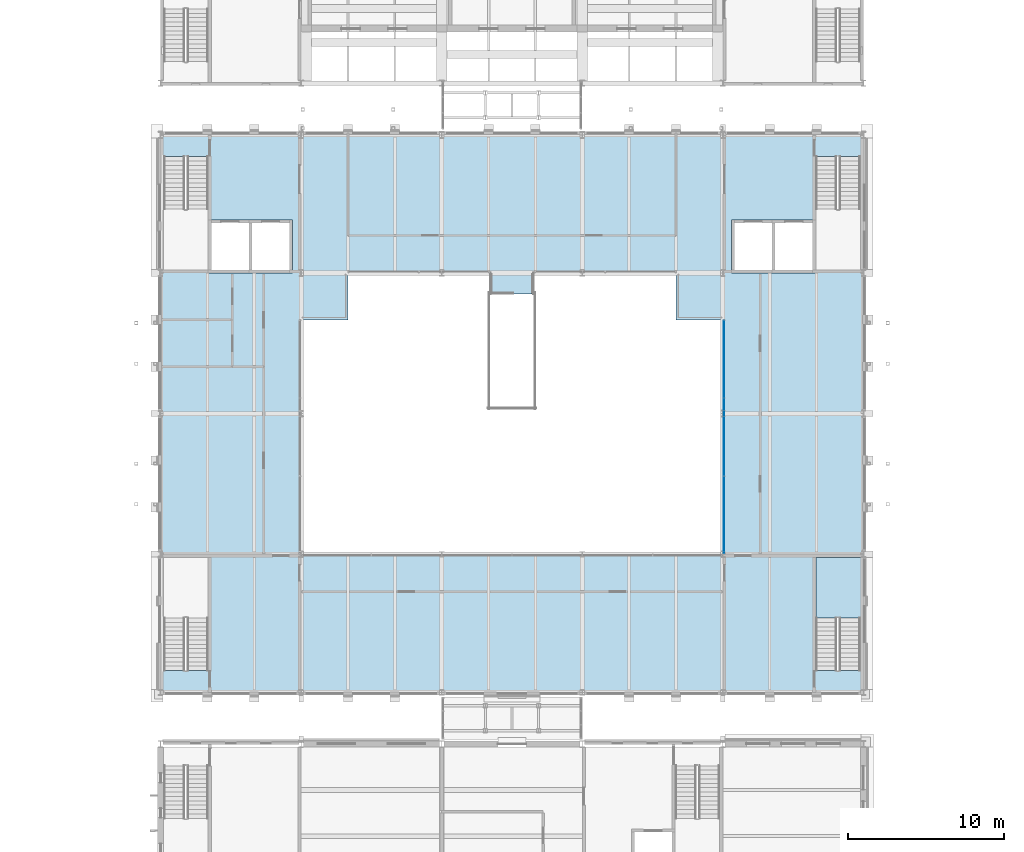
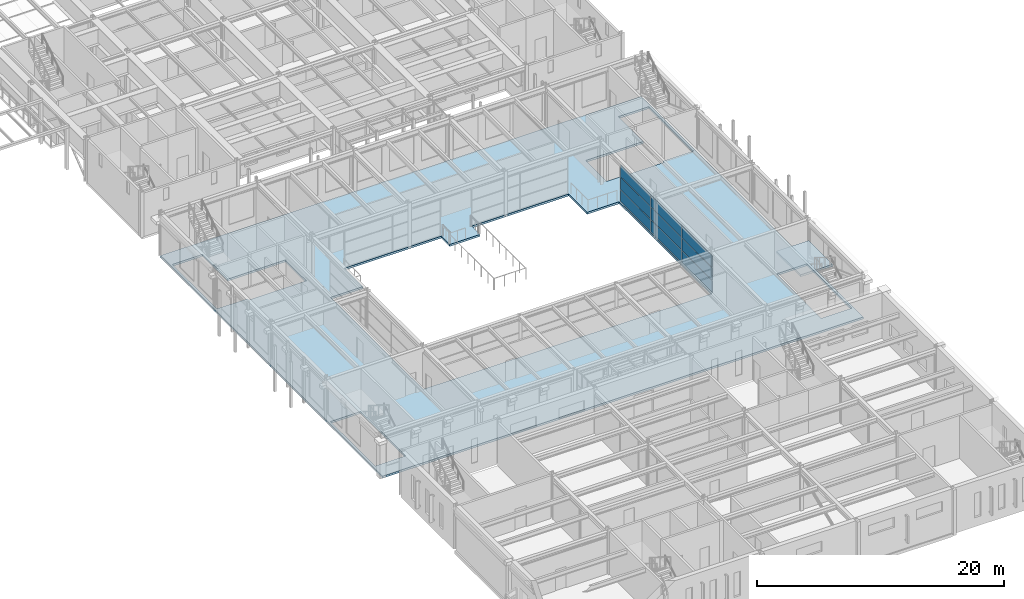
# One storey, part 84 of 153: 9 plates, 2 slabs, 2 elements without a shape of their own.
"""IFC4 building model written with IfcOpenShell, lengths in metres."""

from ifc_helpers import new_model, si_unit, direction, frame, origin, origin_2d, place, context, subcontext, project, spatial, polyline, rectangle, outline, extrude, material, layer, layer_set, type_object, element, aggregate, save


model = new_model("IFC4")

# Units and contexts
model_context = context("Model", 3, precision=1e-05, world=origin(), true_north=direction((0.0, 1.0)))
body_context = subcontext(model_context, "Body", "Model", "MODEL_VIEW")
ifc_project = project(units=[si_unit("LENGTHUNIT", "METRE"), si_unit("AREAUNIT", "SQUARE_METRE"), si_unit("VOLUMEUNIT", "CUBIC_METRE"), si_unit("PLANEANGLEUNIT", "RADIAN"), si_unit("MASSUNIT", "GRAM", prefix="KILO")], contexts=[model_context])

# Site, building, storey
site_placement = place(None, origin())
site = spatial("IfcSite", under=ifc_project, at=site_placement, CompositionType="ELEMENT")
building_placement = place(site_placement, origin())
building = spatial("IfcBuilding", under=site, at=building_placement, Name="Kallimachos Central Library", CompositionType="ELEMENT")
storey_placement = place(building_placement, frame((0.0, 0.0, 5.39990234375)))
storey = spatial("IfcBuildingStorey", under=building, at=storey_placement, Name="L01", CompositionType="ELEMENT", Elevation=5.39990234375)

# Curtain wall, plates
ifc_material_1 = material(Name="Aluminium and laminated glass", Category="aluminium")
curtain_wall_type = type_object("IfcCurtainWallType", Name="Atrium glazed screen", PredefinedType="NOTDEFINED", material=ifc_material_1)
curtain_wall_placement = place(storey_placement, origin())
curtain_wall = element("IfcCurtainWall", 1, at=curtain_wall_placement, inside=storey, type_object=curtain_wall_type, Name="L01 atrium screen E", PredefinedType="NOTDEFINED")
ifc_material_2 = material(Name="Laminated glass", Category="glass")
ifc_layer_1 = layer(ifc_material_2, 0.028076171875)
ifc_layer_set_1 = layer_set([ifc_layer_1], Name="Atrium screen glass panel")
plate_type = type_object("IfcPlateType", Name="Atrium screen glass panel", PredefinedType="CURTAIN_PANEL", material=ifc_layer_set_1)
plate_1_placement = place(storey_placement, frame((101.580078125, 59.514892578125, 0.06005859375), z_axis=(0.0, 0.0, 1.0), x_axis=(0.0, 1.0, 0.0)))
plate_1 = element("IfcPlate", 2, at=plate_1_placement, type_object=plate_type, Name="CW panel 1.1", PredefinedType="CURTAIN_PANEL", context=body_context, shape_type="SweptSolid", body=[
    extrude(rectangle(XDim=4.909912109375, YDim=0.028076171875, at=origin_2d()), origin(), (0.0, 0.0, 1.0), 1.159912109375),
])
plate_2_placement = place(storey_placement, frame((101.580078125, 59.514892578125, 1.280029296875), z_axis=(0.0, 0.0, 1.0), x_axis=(0.0, 1.0, 0.0)))
plate_2 = element("IfcPlate", 3, at=plate_2_placement, type_object=plate_type, Name="CW panel 1.2", PredefinedType="CURTAIN_PANEL", context=body_context, shape_type="SweptSolid", body=[
    extrude(rectangle(XDim=4.909912109375, YDim=0.028076171875, at=origin_2d()), origin(), (0.0, 0.0, 1.0), 1.18994140625),
])
plate_3_placement = place(storey_placement, frame((101.580078125, 59.514892578125, 2.5302734375), z_axis=(0.0, 0.0, 1.0), x_axis=(0.0, 1.0, 0.0)))
plate_3 = element("IfcPlate", 4, at=plate_3_placement, type_object=plate_type, Name="CW panel 1.3", PredefinedType="CURTAIN_PANEL", context=body_context, shape_type="SweptSolid", body=[
    extrude(rectangle(XDim=4.909912109375, YDim=0.028076171875, at=origin_2d()), origin(), (0.0, 0.0, 1.0), 1.159912109375),
])
plate_4_placement = place(storey_placement, frame((101.580078125, 64.5, 0.06005859375), z_axis=(0.0, 0.0, 1.0), x_axis=(0.0, 1.0, 0.0)))
plate_4 = element("IfcPlate", 5, at=plate_4_placement, type_object=plate_type, Name="CW panel 2.1", PredefinedType="CURTAIN_PANEL", context=body_context, shape_type="SweptSolid", body=[
    extrude(rectangle(XDim=4.93994140625, YDim=0.028076171875, at=origin_2d()), origin(), (0.0, 0.0, 1.0), 1.159912109375),
])
plate_5_placement = place(storey_placement, frame((101.580078125, 64.5, 1.280029296875), z_axis=(0.0, 0.0, 1.0), x_axis=(0.0, 1.0, 0.0)))
plate_5 = element("IfcPlate", 6, at=plate_5_placement, type_object=plate_type, Name="CW panel 2.2", PredefinedType="CURTAIN_PANEL", context=body_context, shape_type="SweptSolid", body=[
    extrude(rectangle(XDim=4.93994140625, YDim=0.028076171875, at=origin_2d()), origin(), (0.0, 0.0, 1.0), 1.18994140625),
])
plate_6_placement = place(storey_placement, frame((101.580078125, 64.5, 2.5302734375), z_axis=(0.0, 0.0, 1.0), x_axis=(0.0, 1.0, 0.0)))
plate_6 = element("IfcPlate", 7, at=plate_6_placement, type_object=plate_type, Name="CW panel 2.3", PredefinedType="CURTAIN_PANEL", context=body_context, shape_type="SweptSolid", body=[
    extrude(rectangle(XDim=4.93994140625, YDim=0.028076171875, at=origin_2d()), origin(), (0.0, 0.0, 1.0), 1.159912109375),
])
plate_7_placement = place(storey_placement, frame((101.580078125, 69.485107421875, 0.06005859375), z_axis=(0.0, 0.0, 1.0), x_axis=(0.0, 1.0, 0.0)))
plate_7 = element("IfcPlate", 8, at=plate_7_placement, type_object=plate_type, Name="CW panel 3.1", PredefinedType="CURTAIN_PANEL", context=body_context, shape_type="SweptSolid", body=[
    extrude(rectangle(XDim=4.909912109375, YDim=0.028076171875, at=origin_2d()), origin(), (0.0, 0.0, 1.0), 1.159912109375),
])
plate_8_placement = place(storey_placement, frame((101.580078125, 69.485107421875, 1.280029296875), z_axis=(0.0, 0.0, 1.0), x_axis=(0.0, 1.0, 0.0)))
plate_8 = element("IfcPlate", 9, at=plate_8_placement, type_object=plate_type, Name="CW panel 3.2", PredefinedType="CURTAIN_PANEL", context=body_context, shape_type="SweptSolid", body=[
    extrude(rectangle(XDim=4.909912109375, YDim=0.028076171875, at=origin_2d()), origin(), (0.0, 0.0, 1.0), 1.18994140625),
])
plate_9_placement = place(storey_placement, frame((101.580078125, 69.485107421875, 2.5302734375), z_axis=(0.0, 0.0, 1.0), x_axis=(0.0, 1.0, 0.0)))
plate_9 = element("IfcPlate", 10, at=plate_9_placement, type_object=plate_type, Name="CW panel 3.3", PredefinedType="CURTAIN_PANEL", context=body_context, shape_type="SweptSolid", body=[
    extrude(rectangle(XDim=4.909912109375, YDim=0.028076171875, at=origin_2d()), origin(), (0.0, 0.0, 1.0), 1.159912109375),
])
aggregate(curtain_wall, [plate_1, plate_2, plate_3, plate_4, plate_5, plate_6, plate_7, plate_8, plate_9])

# Slab
ifc_material_3 = material(Name="Composite slab C30/37 on steel deck", Category="concrete")
ifc_layer_2 = layer(ifc_material_3, 0.199951171875)
ifc_layer_set_2 = layer_set([ifc_layer_2], Name="Composite floor slab 200")
slab_type_1 = type_object("IfcSlabType", Name="Composite floor slab 200", PredefinedType="FLOOR", material=ifc_layer_set_2)
slab_1_placement = place(storey_placement, frame((0.0, 0.0, -0.199951171875)))
element("IfcSlab", 11, at=slab_1_placement, inside=storey, type_object=slab_type_1, Name="V4-SLB-L01-001", PredefinedType="FLOOR", context=body_context, shape_type="SweptSolid", body=[
    extrude(outline(polyline([(65.5, 84.0), (110.5, 84.0), (110.5, 48.0), (65.5, 48.0), (65.5, 84.0)]), holes=[polyline([(68.550048828125, 56.800048828125), (65.699951171875, 56.800048828125), (65.699951171875, 49.553955078125), (68.550048828125, 49.553955078125), (68.550048828125, 56.800048828125)]), polyline([(110.300048828125, 49.553955078125), (110.300048828125, 56.800048828125), (107.449951171875, 56.800048828125), (107.449951171875, 49.553955078125), (110.300048828125, 49.553955078125)]), polyline([(77.5, 72.0), (74.5, 72.0), (74.5, 57.0), (101.5, 57.0), (101.5, 72.0), (98.5, 72.0), (98.5, 75.0), (89.425048828125, 75.0), (89.425048828125, 73.64599609375), (86.574951171875, 73.64599609375), (86.574951171875, 75.0), (77.5, 75.0), (77.5, 72.0)]), polyline([(68.550048828125, 75.199951171875), (68.550048828125, 75.0), (73.949951171875, 75.0), (73.949951171875, 78.39990234375), (68.550048828125, 78.39990234375), (68.550048828125, 82.446044921875), (65.699951171875, 82.446044921875), (65.699951171875, 75.199951171875), (68.550048828125, 75.199951171875)]), polyline([(107.449951171875, 75.199951171875), (110.300048828125, 75.199951171875), (110.300048828125, 82.446044921875), (107.449951171875, 82.446044921875), (107.449951171875, 78.39990234375), (102.050048828125, 78.39990234375), (102.050048828125, 75.0), (107.449951171875, 75.0), (107.449951171875, 75.199951171875)])]), origin(), (0.0, 0.0, 1.0), 0.199951171875),
])

# Stair, slab
ifc_material_4 = material(Name="Concrete C30/37", Category="concrete")
stair_type = type_object("IfcStairType", Name="Escape stair", PredefinedType="HALF_TURN_STAIR", material=ifc_material_4)
stair_placement = place(storey_placement, origin())
stair = element("IfcStair", 12, at=stair_placement, inside=storey, type_object=stair_type, Name="L01 stair ST12", PredefinedType="HALF_TURN_STAIR")
ifc_material_5 = material(Name="Concrete C30/37", Category="concrete")
ifc_layer_3 = layer(ifc_material_5, 0.199951171875)
ifc_layer_set_3 = layer_set([ifc_layer_3], Name="Stair landing")
slab_type_2 = type_object("IfcSlabType", Name="Stair landing", PredefinedType="LANDING", material=ifc_layer_set_3)
slab_2_placement = place(storey_placement, frame((0.0, 0.0, 2.050048828125)))
slab_2 = element("IfcSlab", 13, at=slab_2_placement, type_object=slab_type_2, Name="ST12 landing 1", PredefinedType="LANDING", context=body_context, shape_type="SweptSolid", body=[
    extrude(outline(polyline([(107.449951171875, 52.909912109375), (110.449951171875, 52.909912109375), (110.449951171875, 56.800048828125), (107.449951171875, 56.800048828125), (107.449951171875, 52.909912109375)])), origin(), (0.0, 0.0, 1.0), 0.199951171875),
])
aggregate(stair, [slab_2])

save(model, "model.ifc")
